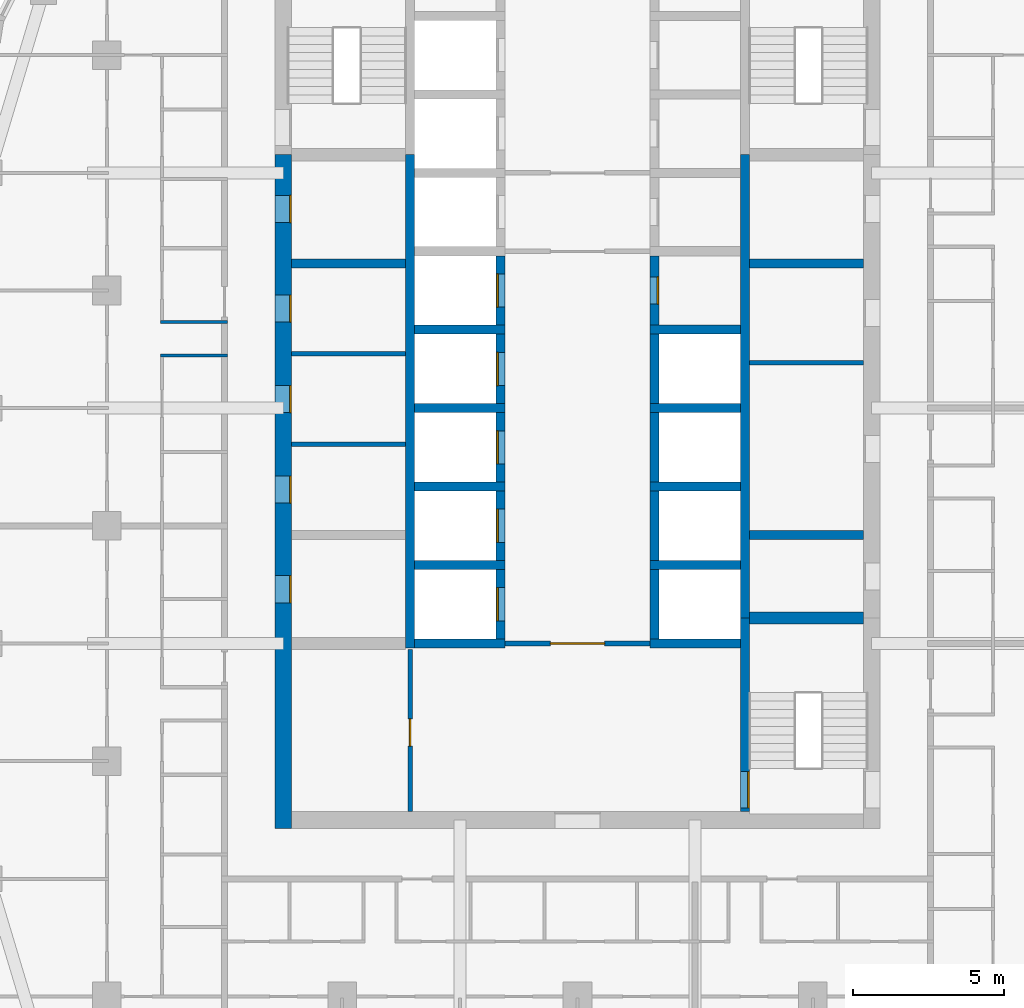
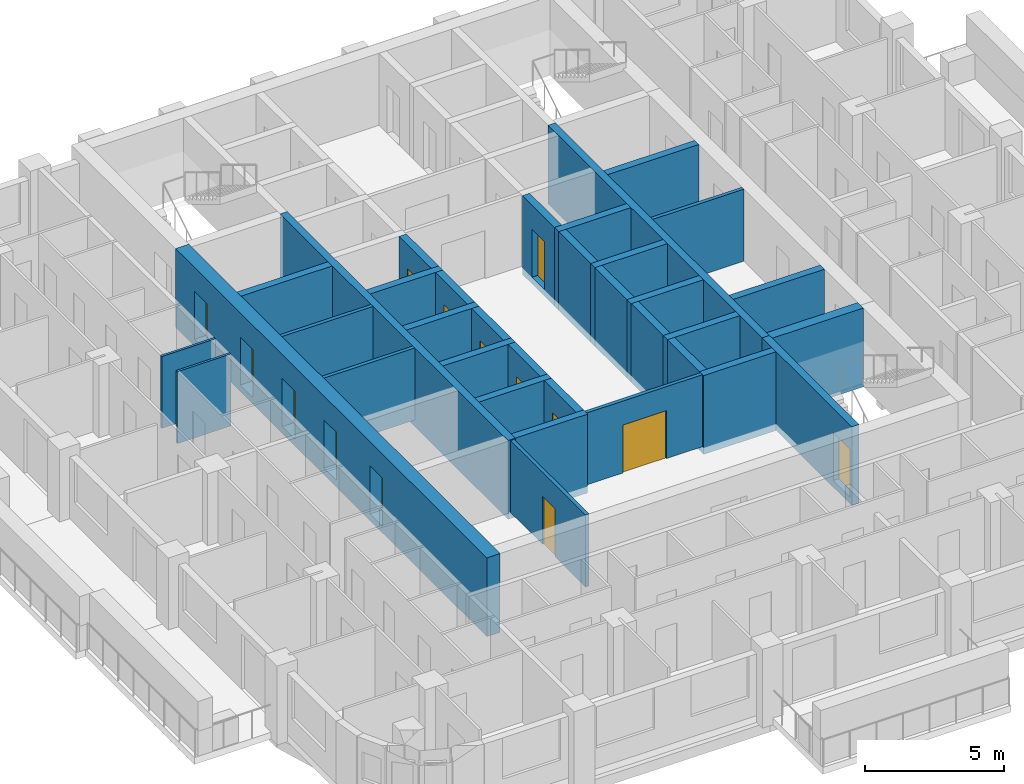
# One storey, part 5 of 14: 35 walls, 14 doors, 14 openings.
"""IFC4 building model written with IfcOpenShell, lengths in metres."""

import ifcopenshell
import ifcopenshell.guid

model = None  # the IFC model being written
_history = None  # IfcOwnerHistory: only IFC2X3 demands one
_inside = {}  # id of a spatial element -> (the spatial element, [elements in it])
_under = {}  # id of a project, library or spatial element -> (it, [spatial elements below it])
_declared = {}  # id of a project -> (the project, [libraries it declares])
_typed = {}  # id of a type object -> (the type object, [elements of that type])
_made_of = {}  # id of a material, layer set ... -> (it, [elements and type objects made of it])


def new_model(schema):
    """Start an empty IFC model of exactly this schema.

    Asked for "IFC4X3", IfcOpenShell would pick the latest addendum, in which some entities
    have other attributes; the version numbers below select the first issue.
    IFC2X3 requires an IfcOwnerHistory on every rooted entity: one is made here for all.
    """
    global model, _history
    if schema == "IFC4X3":
        model = ifcopenshell.file(schema_version=(4, 3, 0, 0))
    else:
        model = ifcopenshell.file(schema=schema)
    _inside.clear()
    _under.clear()
    _declared.clear()
    _typed.clear()
    _made_of.clear()
    _history = None
    if model.schema == "IFC2X3":
        org = make("IfcOrganization", Name="unknown")
        user = make(
            "IfcPersonAndOrganization",
            ThePerson=make("IfcPerson", FamilyName="unknown"),
            TheOrganization=org,
        )
        app = make(
            "IfcApplication",
            ApplicationDeveloper=org,
            Version="unknown",
            ApplicationFullName="unknown",
            ApplicationIdentifier="unknown",
        )
        _history = make(
            "IfcOwnerHistory",
            OwningUser=user,
            OwningApplication=app,
            ChangeAction="ADDED",
            CreationDate=0,
        )
    return model


def make(cls, **values):
    """One entity of the class cls with the attributes given. An attribute that is None is left unset."""
    return model.create_entity(
        cls, **{name: value for name, value in values.items() if value is not None}
    )


def rooted(cls, **values):
    """An entity with a GlobalId (a new one), such as an element, a storey or a relation."""
    return make(cls, GlobalId=ifcopenshell.guid.new(), OwnerHistory=_history, **values)


def si_unit(unit_type, name, prefix=None):
    """IfcSIUnit, for example si_unit("LENGTHUNIT", "METRE", prefix="MILLI")."""
    return make("IfcSIUnit", UnitType=unit_type, Prefix=prefix, Name=name)


def assignment(units):
    """IfcUnitAssignment: the units of a project."""
    return None if units is None else make("IfcUnitAssignment", Units=units)


def point(xyz):
    """IfcCartesianPoint."""
    return None if xyz is None else make("IfcCartesianPoint", Coordinates=xyz)


def direction(xyz):
    """IfcDirection."""
    return None if xyz is None else make("IfcDirection", DirectionRatios=xyz)


def frame(location, z_axis=None, x_axis=None):
    """IfcAxis2Placement3D, a coordinate frame: its origin and axes. An axis left out is left unset."""
    return make(
        "IfcAxis2Placement3D",
        Location=point(location),
        Axis=direction(z_axis),
        RefDirection=direction(x_axis),
    )


def frame_2d(location, x_axis=None):
    """IfcAxis2Placement2D, a coordinate frame in the plane: its origin and x axis."""
    return make(
        "IfcAxis2Placement2D", Location=point(location), RefDirection=direction(x_axis)
    )


def origin():
    """The frame at (0, 0, 0) with its axes left unset."""
    return frame((0.0, 0.0, 0.0))


def place(relative_to, where):
    """IfcLocalPlacement: puts the frame where relative to a parent placement (None: the world)."""
    return make(
        "IfcLocalPlacement", PlacementRelTo=relative_to, RelativePlacement=where
    )


def context(
    kind, dimensions, precision=None, world=None, true_north=None, identifier=None
):
    """IfcGeometricRepresentationContext, for example the 3D "Model" context."""
    return make(
        "IfcGeometricRepresentationContext",
        ContextIdentifier=identifier,
        ContextType=kind,
        CoordinateSpaceDimension=dimensions,
        Precision=precision,
        WorldCoordinateSystem=world,
        TrueNorth=true_north,
    )


def subcontext(parent, identifier, kind, view, scale=None):
    """IfcGeometricRepresentationSubContext, for example "Body" below "Model"."""
    return make(
        "IfcGeometricRepresentationSubContext",
        ContextIdentifier=identifier,
        ContextType=kind,
        ParentContext=parent,
        TargetScale=scale,
        TargetView=view,
    )


def project(units=None, contexts=None):
    """IfcProject with its units and contexts."""
    return rooted(
        "IfcProject",
        Name="project",
        RepresentationContexts=contexts,
        UnitsInContext=assignment(units),
    )


def spatial(cls, under=None, at=None, **own):
    """A site, building, storey or space (cls), placed at a placement, below another one or the project."""
    s = rooted(cls, ObjectPlacement=at, **own)
    if under is not None:
        _under.setdefault(under.id(), (under, []))[1].append(s)
    return s


def profile(cls, at=None, kind="AREA", **sizes):
    """A parametric profile (cls). Its sizes go by their IFC names, for example OverallWidth=200.0."""
    return make(cls, ProfileType=kind, Position=at, **sizes)


def rectangle(**sizes):
    """IfcRectangleProfileDef."""
    return profile("IfcRectangleProfileDef", **sizes)


def extrude(swept, where, along, depth):
    """IfcExtrudedAreaSolid: the profile swept, set in the frame where, extruded along a direction by depth."""
    return make(
        "IfcExtrudedAreaSolid",
        SweptArea=swept,
        Position=where,
        ExtrudedDirection=direction(along),
        Depth=depth,
    )


def shape(context_of_items, identifier, shape_type, items):
    """IfcShapeRepresentation: the items that make up one representation, for example the "Body"."""
    return make(
        "IfcShapeRepresentation",
        ContextOfItems=context_of_items,
        RepresentationIdentifier=identifier,
        RepresentationType=shape_type,
        Items=items,
    )


def material(Name=None, Category=None):
    """IfcMaterial."""
    return make("IfcMaterial", Name=Name, Category=Category)


def layer(
    of_material, thickness, ventilated=None, Name=None, Category=None, Priority=None
):
    """IfcMaterialLayer: one layer of a wall or slab, of a material (None: an air gap)."""
    return make(
        "IfcMaterialLayer",
        Material=of_material,
        LayerThickness=thickness,
        IsVentilated=ventilated,
        Name=Name,
        Category=Category,
        Priority=Priority,
    )


def layer_set(layers, Name=None):
    """IfcMaterialLayerSet."""
    return make("IfcMaterialLayerSet", MaterialLayers=layers, LayerSetName=Name)


def made_of(thing, what):
    """Note that an element or type object is made of a material, layer set ...; save() writes the relation."""
    if what is not None:
        _made_of.setdefault(what.id(), (what, []))[1].append(thing)
    return thing


def type_object(cls, material=None, **own):
    """A type object (cls), such as IfcWallType, which elements share."""
    return made_of(rooted(cls, **own), material)


def element(
    cls,
    number,
    at=None,
    inside=None,
    cuts=None,
    type_object=None,
    material=None,
    context=None,
    identifier="Body",
    shape_type=None,
    held_by="IfcProductDefinitionShape",
    body=None,
    shapes=None,
    **own,
):
    """One element of the class cls, such as IfcWall. Its Tag is "e" and its number.

    at: its placement. inside: the storey or other place that contains it. cuts: it is an
    opening in that element (IfcRelVoidsElement). A single representation is given by context,
    identifier, shape_type and body (its items); several are given by shapes. held_by: the class
    of the entity that holds the representations. save() writes the other relations.
    """
    e = rooted(cls, Tag="e%d" % number, ObjectPlacement=at, **own)
    if body is not None:
        shapes = [shape(context, identifier, shape_type, body)]
    if shapes is not None:
        e.Representation = make(held_by, Representations=shapes)
    if inside is not None:
        _inside.setdefault(inside.id(), (inside, []))[1].append(e)
    if cuts is not None:
        rooted(
            "IfcRelVoidsElement", RelatingBuildingElement=cuts, RelatedOpeningElement=e
        )
    if type_object is not None:
        _typed.setdefault(type_object.id(), (type_object, []))[1].append(e)
    return made_of(e, material)


def fill(opening, filler):
    """IfcRelFillsElement: the door or window that sits in an opening."""
    return rooted(
        "IfcRelFillsElement",
        RelatingOpeningElement=opening,
        RelatedBuildingElement=filler,
    )


def aggregate(whole, parts):
    """IfcRelAggregates: a whole, such as a stair, and the parts it consists of."""
    return rooted("IfcRelAggregates", RelatingObject=whole, RelatedObjects=parts)


def save(model, path):
    """Write the relations noted so far, then the file.

    IfcRelAggregates (storeys below a building ...), IfcRelContainedInSpatialStructure (elements
    in a storey), IfcRelDefinesByType, IfcRelAssociatesMaterial and IfcRelDeclares: one each for
    every whole, place, type object, material and project.
    """
    for whole, parts in _under.values():
        aggregate(whole, parts)
    for where, things in _inside.values():
        rooted(
            "IfcRelContainedInSpatialStructure",
            RelatedElements=things,
            RelatingStructure=where,
        )
    for kind, things in _typed.values():
        rooted("IfcRelDefinesByType", RelatedObjects=things, RelatingType=kind)
    for what, things in _made_of.values():
        rooted("IfcRelAssociatesMaterial", RelatedObjects=things, RelatingMaterial=what)
    for by, libraries in _declared.values():
        rooted("IfcRelDeclares", RelatingContext=by, RelatedDefinitions=libraries)
    model.write(path)


model = new_model("IFC4")

# Units and contexts
model_context = context("Model", 3, precision=1e-05, world=origin(), true_north=direction((0.0, 1.0)))
body_context = subcontext(model_context, "Body", "Model", "MODEL_VIEW")
ifc_project = project(units=[si_unit("LENGTHUNIT", "METRE"), si_unit("AREAUNIT", "SQUARE_METRE"), si_unit("VOLUMEUNIT", "CUBIC_METRE"), si_unit("PLANEANGLEUNIT", "RADIAN"), si_unit("MASSUNIT", "GRAM", prefix="KILO")], contexts=[model_context])

# Site, building, storey
site_placement = place(None, origin())
site = spatial("IfcSite", under=ifc_project, at=site_placement, CompositionType="ELEMENT")
building_placement = place(site_placement, origin())
building = spatial("IfcBuilding", under=site, at=building_placement, Name="Ludao Terraces", CompositionType="ELEMENT")
storey_placement = place(building_placement, frame((0.0, 0.0, 99.89990234375)))
storey = spatial("IfcBuildingStorey", under=building, at=storey_placement, Name="L27", CompositionType="ELEMENT", Elevation=99.89990234375)

# Wall, openings, doors
ifc_material_1 = material(Name="Concrete C60", Category="concrete")
ifc_layer_1 = layer(ifc_material_1, 0.550048828125)
ifc_layer_set_1 = layer_set([ifc_layer_1], Name="Core wall 550 C60")
wall_type_1 = type_object("IfcWallType", Name="Core wall 550 C60", PredefinedType="SOLIDWALL", material=ifc_layer_set_1)
wall_1_placement = place(storey_placement, frame((75.25, 54.97509765625, -0.2998046875), z_axis=(0.0, 0.0, 1.0), x_axis=(0.0, 1.0, 0.0)))
wall_1 = element("IfcWall", 1, at=wall_1_placement, inside=storey, type_object=wall_type_1, Name="Core wall L27 outer-W", PredefinedType="SOLIDWALL", context=body_context, shape_type="SweptSolid", body=[
    extrude(rectangle(XDim=22.324951171875, YDim=0.550048828125, at=frame_2d((11.16259765625, 0.0))), origin(), (0.0, 0.0, 1.0), 3.449951171875),
])
opening_1_placement = place(wall_1_placement, frame((7.47509765625, 0.0, 0.300048828125)))
opening_1 = element("IfcOpeningElement", 2, at=opening_1_placement, cuts=wall_1, Name="Opening R08-046", PredefinedType="OPENING", context=body_context, shape_type="SweptSolid", body=[
    extrude(rectangle(XDim=0.89990234375, YDim=2.10009765625, at=frame_2d((0.449951171875, 1.050048828125))), frame((0.0, 0.28515625, 0.0), z_axis=(0.0, -1.0, 0.0), x_axis=(1.0, 0.0, 0.0)), (0.0, 0.0, 1.0), 0.570068359375),
])
opening_2_placement = place(wall_1_placement, frame((10.77490234375, 0.0, 0.300048828125)))
opening_2 = element("IfcOpeningElement", 3, at=opening_2_placement, cuts=wall_1, Name="Opening R08-053", PredefinedType="OPENING", context=body_context, shape_type="SweptSolid", body=[
    extrude(rectangle(XDim=0.89990234375, YDim=2.10009765625, at=frame_2d((0.449951171875, 1.050048828125))), frame((0.0, 0.28515625, 0.0), z_axis=(0.0, -1.0, 0.0), x_axis=(1.0, 0.0, 0.0)), (0.0, 0.0, 1.0), 0.570068359375),
])
opening_3_placement = place(wall_1_placement, frame((13.77490234375, 0.0, 0.300048828125)))
opening_3 = element("IfcOpeningElement", 4, at=opening_3_placement, cuts=wall_1, Name="Opening R08-062", PredefinedType="OPENING", context=body_context, shape_type="SweptSolid", body=[
    extrude(rectangle(XDim=0.89990234375, YDim=2.10009765625, at=frame_2d((0.449951171875, 1.050048828125))), frame((0.0, 0.28515625, 0.0), z_axis=(0.0, -1.0, 0.0), x_axis=(1.0, 0.0, 0.0)), (0.0, 0.0, 1.0), 0.570068359375),
])
opening_4_placement = place(wall_1_placement, frame((16.77490234375, 0.0, 0.300048828125)))
opening_4 = element("IfcOpeningElement", 5, at=opening_4_placement, cuts=wall_1, Name="Opening R08-068", PredefinedType="OPENING", context=body_context, shape_type="SweptSolid", body=[
    extrude(rectangle(XDim=0.89990234375, YDim=2.10009765625, at=frame_2d((0.449951171875, 1.050048828125))), frame((0.0, 0.28515625, 0.0), z_axis=(0.0, -1.0, 0.0), x_axis=(1.0, 0.0, 0.0)), (0.0, 0.0, 1.0), 0.570068359375),
])
opening_5_placement = place(wall_1_placement, frame((20.074951171875, 0.0, 0.300048828125)))
opening_5 = element("IfcOpeningElement", 6, at=opening_5_placement, cuts=wall_1, Name="Opening R08-080", PredefinedType="OPENING", context=body_context, shape_type="SweptSolid", body=[
    extrude(rectangle(XDim=0.89990234375, YDim=2.10009765625, at=frame_2d((0.449951171875, 1.050048828125))), frame((0.0, 0.28515625, 0.0), z_axis=(0.0, -1.0, 0.0), x_axis=(1.0, 0.0, 0.0)), (0.0, 0.0, 1.0), 0.570068359375),
])
ifc_material_2 = material(Name="Steel Q235", Category="steel")
door_type_1 = type_object("IfcDoorType", Name="INT Riser door 900", OperationType="SINGLE_SWING_LEFT", PredefinedType="DOOR", material=ifc_material_2)
door_1_placement = place(opening_1_placement, origin())
door_1 = element("IfcDoor", 7, at=door_1_placement, inside=storey, type_object=door_type_1, Name="DOOR 046", OperationType="SINGLE_SWING_RIGHT", OverallHeight=2.10009765625, OverallWidth=0.89990234375, PredefinedType="DOOR", context=body_context, shape_type="SweptSolid", body=[
    extrude(rectangle(XDim=0.89990234375, YDim=2.10009765625, at=frame_2d((0.449951171875, 1.050048828125))), frame((0.0, -0.2099609375, 0.0), z_axis=(0.0, -1.0, 0.0), x_axis=(1.0, 0.0, 0.0)), (0.0, 0.0, 1.0), 0.050048828125),
])
fill(opening_1, door_1)
door_2_placement = place(opening_5_placement, origin())
door_2 = element("IfcDoor", 8, at=door_2_placement, inside=storey, type_object=door_type_1, Name="DOOR 080", OperationType="SINGLE_SWING_LEFT", OverallHeight=2.10009765625, OverallWidth=0.89990234375, PredefinedType="DOOR", context=body_context, shape_type="SweptSolid", body=[
    extrude(rectangle(XDim=0.89990234375, YDim=2.10009765625, at=frame_2d((0.449951171875, 1.050048828125))), frame((0.0, -0.2099609375, 0.0), z_axis=(0.0, -1.0, 0.0), x_axis=(1.0, 0.0, 0.0)), (0.0, 0.0, 1.0), 0.050048828125),
])
fill(opening_5, door_2)
ifc_material_3 = material(Name="Timber door leaf", Category="wood")
door_type_2 = type_object("IfcDoorType", Name="INT Room door 900", OperationType="SINGLE_SWING_LEFT", PredefinedType="DOOR", material=ifc_material_3)
door_3_placement = place(opening_2_placement, origin())
door_3 = element("IfcDoor", 9, at=door_3_placement, inside=storey, type_object=door_type_2, Name="DOOR 053", OperationType="SINGLE_SWING_RIGHT", OverallHeight=2.10009765625, OverallWidth=0.89990234375, PredefinedType="DOOR", context=body_context, shape_type="SweptSolid", body=[
    extrude(rectangle(XDim=0.89990234375, YDim=2.10009765625, at=frame_2d((0.449951171875, 1.050048828125))), frame((0.0, -0.2099609375, 0.0), z_axis=(0.0, -1.0, 0.0), x_axis=(1.0, 0.0, 0.0)), (0.0, 0.0, 1.0), 0.050048828125),
])
fill(opening_2, door_3)
door_4_placement = place(opening_3_placement, origin())
door_4 = element("IfcDoor", 10, at=door_4_placement, inside=storey, type_object=door_type_2, Name="DOOR 062", OperationType="SINGLE_SWING_LEFT", OverallHeight=2.10009765625, OverallWidth=0.89990234375, PredefinedType="DOOR", context=body_context, shape_type="SweptSolid", body=[
    extrude(rectangle(XDim=0.89990234375, YDim=2.10009765625, at=frame_2d((0.449951171875, 1.050048828125))), frame((0.0, -0.2099609375, 0.0), z_axis=(0.0, -1.0, 0.0), x_axis=(1.0, 0.0, 0.0)), (0.0, 0.0, 1.0), 0.050048828125),
])
fill(opening_3, door_4)
door_5_placement = place(opening_4_placement, origin())
door_5 = element("IfcDoor", 11, at=door_5_placement, inside=storey, type_object=door_type_2, Name="DOOR 068", OperationType="SINGLE_SWING_LEFT", OverallHeight=2.10009765625, OverallWidth=0.89990234375, PredefinedType="DOOR", context=body_context, shape_type="SweptSolid", body=[
    extrude(rectangle(XDim=0.89990234375, YDim=2.10009765625, at=frame_2d((0.449951171875, 1.050048828125))), frame((0.0, -0.2099609375, 0.0), z_axis=(0.0, -1.0, 0.0), x_axis=(1.0, 0.0, 0.0)), (0.0, 0.0, 1.0), 0.050048828125),
])
fill(opening_4, door_5)

# Wall, opening, door
ifc_material_4 = material(Name="Fire-rated gypsum plasterboard", Category="gypsum")
ifc_layer_2 = layer(ifc_material_4, 0.012451171875, Category="gypsum")
ifc_material_5 = material(Name="Mineral wool")
ifc_layer_3 = layer(ifc_material_5, 0.10009765625, Name="insulation")
ifc_layer_4 = layer(ifc_material_2, 0.02490234375, Name="stud")
ifc_layer_5 = layer(ifc_material_4, 0.012451171875, Category="gypsum")
ifc_layer_set_2 = layer_set([ifc_layer_2, ifc_layer_3, ifc_layer_4, ifc_layer_5], Name="INT Core partition 150")
wall_type_2 = type_object("IfcWallType", Name="INT Core partition 150", PredefinedType="PARTITIONING", material=ifc_layer_set_2)
wall_2_placement = place(storey_placement, frame((82.60009765625, 61.10009765625, 0.0), z_axis=(0.0, 0.0, 1.0), x_axis=(1.0, 0.0, 0.0)))
wall_2 = element("IfcWall", 12, at=wall_2_placement, inside=storey, type_object=wall_type_2, Name="PW-L27-PW019", PredefinedType="PARTITIONING", context=body_context, shape_type="SweptSolid", body=[
    extrude(rectangle(XDim=4.800048828125, YDim=0.14990234375, at=frame_2d((2.39990234375, 0.0))), origin(), (0.0, 0.0, 1.0), 3.150146484375),
])
opening_6_placement = place(wall_2_placement, frame((1.5, 0.0, 0.0)))
opening_6 = element("IfcOpeningElement", 13, at=opening_6_placement, cuts=wall_2, Name="Opening R08-042", PredefinedType="OPENING", context=body_context, shape_type="SweptSolid", body=[
    extrude(rectangle(XDim=1.800048828125, YDim=2.10009765625, at=frame_2d((0.89990234375, 1.050048828125))), frame((0.0, 0.0849609375, 0.0), z_axis=(0.0, -1.0, 0.0), x_axis=(1.0, 0.0, 0.0)), (0.0, 0.0, 1.0), 0.169921875),
])
door_type_3 = type_object("IfcDoorType", Name="INT Fire lobby door 1800", OperationType="DOUBLE_DOOR_SINGLE_SWING", PredefinedType="DOOR", material=ifc_material_2)
door_6_placement = place(opening_6_placement, origin())
door_6 = element("IfcDoor", 14, at=door_6_placement, inside=storey, type_object=door_type_3, Name="DOOR 042", OperationType="DOUBLE_DOOR_SINGLE_SWING", OverallHeight=2.10009765625, OverallWidth=1.800048828125, PredefinedType="DOOR", context=body_context, shape_type="SweptSolid", body=[
    extrude(rectangle(XDim=1.800048828125, YDim=2.10009765625, at=frame_2d((0.89990234375, 1.050048828125))), frame((0.0, 0.02490234375, 0.0), z_axis=(0.0, -1.0, 0.0), x_axis=(1.0, 0.0, 0.0)), (0.0, 0.0, 1.0), 0.050048828125),
])
fill(opening_6, door_6)

# Walls
for number, where, z_axis, x_axis, name in (
    (15, (75.525146484375, 67.699951171875, 0.0), (0.0, 0.0, 1.0), (1.0, 0.0, 0.0), "PW-L27-PW028"),
    (16, (90.7001953125, 70.39990234375, 0.0), (0.0, 0.0, 1.0), (1.0, 0.0, 0.0), "PW-L27-PW031"),
    (17, (75.525146484375, 70.699951171875, 0.0), (0.0, 0.0, 1.0), (1.0, 0.0, 0.0), "PW-L27-PW033"),
):
    element("IfcWall", number, at=place(storey_placement, frame(where, z_axis=z_axis, x_axis=x_axis)), inside=storey, type_object=wall_type_2, Name=name, PredefinedType="PARTITIONING", context=body_context, shape_type="SweptSolid", body=[
        extrude(rectangle(XDim=3.77490234375, YDim=0.14990234375, at=frame_2d((1.887451171875, 0.0))), origin(), (0.0, 0.0, 1.0), 3.150146484375),
    ])

# Wall, opening, door
wall_3_placement = place(storey_placement, frame((79.449951171875, 55.525146484375, 0.0), z_axis=(0.0, 0.0, 1.0), x_axis=(0.0, 1.0, 0.0)))
wall_3 = element("IfcWall", 18, at=wall_3_placement, inside=storey, type_object=wall_type_2, Name="PW-L27-PW060", PredefinedType="PARTITIONING", context=body_context, shape_type="SweptSolid", body=[
    extrude(rectangle(XDim=5.375, YDim=0.14990234375, at=frame_2d((2.6875, 0.0))), origin(), (0.0, 0.0, 1.0), 3.150146484375),
])
opening_7_placement = place(wall_3_placement, frame((2.175048828125, 0.0, 0.0)))
opening_7 = element("IfcOpeningElement", 19, at=opening_7_placement, cuts=wall_3, Name="Opening R08-036", PredefinedType="OPENING", context=body_context, shape_type="SweptSolid", body=[
    extrude(rectangle(XDim=0.89990234375, YDim=2.10009765625, at=frame_2d((0.449951171875, 1.050048828125))), frame((0.0, 0.0849609375, 0.0), z_axis=(0.0, -1.0, 0.0), x_axis=(1.0, 0.0, 0.0)), (0.0, 0.0, 1.0), 0.169921875),
])
door_7_placement = place(opening_7_placement, origin())
door_7 = element("IfcDoor", 20, at=door_7_placement, inside=storey, type_object=door_type_2, Name="DOOR 036", OperationType="SINGLE_SWING_LEFT", OverallHeight=2.10009765625, OverallWidth=0.89990234375, PredefinedType="DOOR", context=body_context, shape_type="SweptSolid", body=[
    extrude(rectangle(XDim=0.89990234375, YDim=2.10009765625, at=frame_2d((0.449951171875, 1.050048828125))), frame((0.0, 0.02490234375, 0.0), z_axis=(0.0, -1.0, 0.0), x_axis=(1.0, 0.0, 0.0)), (0.0, 0.0, 1.0), 0.050048828125),
])
fill(opening_7, door_7)

# Walls
ifc_material_6 = material(Name="Gypsum plasterboard", Category="gypsum")
ifc_layer_6 = layer(ifc_material_6, 0.012451171875, Category="gypsum")
ifc_layer_7 = layer(ifc_material_5, 0.06005859375, Name="insulation")
ifc_layer_8 = layer(ifc_material_2, 0.014892578125, Name="stud")
ifc_layer_9 = layer(ifc_material_6, 0.012451171875, Category="gypsum")
ifc_layer_set_3 = layer_set([ifc_layer_6, ifc_layer_7, ifc_layer_8, ifc_layer_9], Name="INT Partition 100")
wall_type_3 = type_object("IfcWallType", Name="INT Partition 100", PredefinedType="PARTITIONING", material=ifc_layer_set_3)
for number, where, z_axis, x_axis, name in (
    (21, (71.18017578125, 70.64990234375, 0.0), (0.0, 0.0, 1.0), (1.0, 0.0, 0.0), "PW-L27-PW032"),
    (22, (71.18017578125, 71.75, 0.0), (0.0, 0.0, 1.0), (1.0, 0.0, 0.0), "PW-L27-PW034"),
):
    element("IfcWall", number, at=place(storey_placement, frame(where, z_axis=z_axis, x_axis=x_axis)), inside=storey, type_object=wall_type_3, Name=name, PredefinedType="PARTITIONING", context=body_context, shape_type="SweptSolid", body=[
        extrude(rectangle(XDim=2.219970703125, YDim=0.10009765625, at=frame_2d((1.10986328125, 0.0))), origin(), (0.0, 0.0, 1.0), 3.150146484375),
    ])
ifc_material_7 = material(Name="Concrete C55", Category="concrete")
ifc_layer_10 = layer(ifc_material_7, 0.300048828125)
ifc_layer_set_4 = layer_set([ifc_layer_10], Name="Shaft wall 300 C55")
wall_type_4 = type_object("IfcWallType", Name="Shaft wall 300 C55", PredefinedType="SOLIDWALL", material=ifc_layer_set_4)
wall_4_placement = place(storey_placement, frame((79.449951171875, 60.949951171875, -0.2998046875), z_axis=(0.0, 0.0, 1.0), x_axis=(0.0, 1.0, 0.0)))
element("IfcWall", 23, at=wall_4_placement, inside=storey, type_object=wall_type_4, Name="Core wall L27 back-W", PredefinedType="SOLIDWALL", context=body_context, shape_type="SweptSolid", body=[
    extrude(rectangle(XDim=16.35009765625, YDim=0.300048828125, at=frame_2d((8.175048828125, 0.0))), origin(), (0.0, 0.0, 1.0), 3.449951171875),
])

# Wall, opening, door
wall_5_placement = place(storey_placement, frame((90.550048828125, 55.52490234375, -0.2998046875), z_axis=(0.0, 0.0, 1.0), x_axis=(0.0, 1.0, 0.0)))
wall_5 = element("IfcWall", 24, at=wall_5_placement, inside=storey, type_object=wall_type_4, Name="Core wall L27 back-E-S3", PredefinedType="SOLIDWALL", context=body_context, shape_type="SweptSolid", body=[
    extrude(rectangle(XDim=6.425048828125, YDim=0.300048828125, at=frame_2d((3.21240234375, 0.0))), origin(), (0.0, 0.0, 1.0), 3.449951171875),
])
opening_8_placement = place(wall_5_placement, frame((0.125, 0.0, 0.300048828125)))
opening_8 = element("IfcOpeningElement", 25, at=opening_8_placement, cuts=wall_5, Name="Opening R08-033", PredefinedType="OPENING", context=body_context, shape_type="SweptSolid", body=[
    extrude(rectangle(XDim=1.199951171875, YDim=2.10009765625, at=frame_2d((0.60009765625, 1.050048828125))), frame((0.0, 0.16015625, 0.0), z_axis=(0.0, -1.0, 0.0), x_axis=(1.0, 0.0, 0.0)), (0.0, 0.0, 1.0), 0.320068359375),
])
door_type_4 = type_object("IfcDoorType", Name="INT Stair door 1200", OperationType="DOUBLE_DOOR_SINGLE_SWING", PredefinedType="DOOR", material=ifc_material_2)
door_8_placement = place(opening_8_placement, origin())
door_8 = element("IfcDoor", 26, at=door_8_placement, inside=storey, type_object=door_type_4, Name="DOOR 033", OperationType="DOUBLE_DOOR_SINGLE_SWING", OverallHeight=2.10009765625, OverallWidth=1.199951171875, PredefinedType="DOOR", context=body_context, shape_type="SweptSolid", body=[
    extrude(rectangle(XDim=1.199951171875, YDim=2.10009765625, at=frame_2d((0.60009765625, 1.050048828125))), frame((0.0, -0.0849609375, 0.0), z_axis=(0.0, -1.0, 0.0), x_axis=(1.0, 0.0, 0.0)), (0.0, 0.0, 1.0), 0.050048828125),
])
fill(opening_8, door_8)

# Walls
wall_6_placement = place(storey_placement, frame((90.550048828125, 61.949951171875, -0.2998046875), z_axis=(0.0, 0.0, 1.0), x_axis=(0.0, 1.0, 0.0)))
element("IfcWall", 27, at=wall_6_placement, inside=storey, type_object=wall_type_4, Name="Core wall L27 back-E", PredefinedType="SOLIDWALL", context=body_context, shape_type="SweptSolid", body=[
    extrude(rectangle(XDim=15.35009765625, YDim=0.300048828125, at=frame_2d((7.675048828125, 0.0))), origin(), (0.0, 0.0, 1.0), 3.449951171875),
])
wall_7_placement = place(storey_placement, frame((79.60009765625, 61.10009765625, -0.2998046875), z_axis=(0.0, 0.0, 1.0), x_axis=(1.0, 0.0, 0.0)))
element("IfcWall", 28, at=wall_7_placement, inside=storey, type_object=wall_type_4, Name="Core wall L27 div-W1", PredefinedType="SOLIDWALL", context=body_context, shape_type="SweptSolid", body=[
    extrude(rectangle(XDim=3.0, YDim=0.300048828125, at=frame_2d((1.5, 0.0))), origin(), (0.0, 0.0, 1.0), 3.449951171875),
])

# Wall, opening, door
wall_8_placement = place(storey_placement, frame((82.449951171875, 61.25, -0.2998046875), z_axis=(0.0, 0.0, 1.0), x_axis=(0.0, 1.0, 0.0)))
wall_8 = element("IfcWall", 29, at=wall_8_placement, inside=storey, type_object=wall_type_4, Name="Core wall L27 front-W1", PredefinedType="SOLIDWALL", context=body_context, shape_type="SweptSolid", body=[
    extrude(rectangle(XDim=2.300048828125, YDim=0.300048828125, at=frame_2d((1.14990234375, 0.0))), origin(), (0.0, 0.0, 1.0), 3.449951171875),
])
opening_9_placement = place(wall_8_placement, frame((0.60009765625, 0.0, 0.300048828125)))
opening_9 = element("IfcOpeningElement", 30, at=opening_9_placement, cuts=wall_8, Name="Opening LD-LA1", PredefinedType="OPENING", context=body_context, shape_type="SweptSolid", body=[
    extrude(rectangle(XDim=1.10009765625, YDim=2.10009765625, at=frame_2d((0.550048828125, 1.050048828125))), frame((0.0, 0.16015625, 0.0), z_axis=(0.0, -1.0, 0.0), x_axis=(1.0, 0.0, 0.0)), (0.0, 0.0, 1.0), 0.320068359375),
])
ifc_material_8 = material(Name="Stainless steel 304", Category="steel")
door_type_5 = type_object("IfcDoorType", Name="INT Lift landing door 1100", OperationType="SLIDING_TO_LEFT", PredefinedType="DOOR", material=ifc_material_8)
door_9_placement = place(opening_9_placement, origin())
door_9 = element("IfcDoor", 31, at=door_9_placement, inside=storey, type_object=door_type_5, Name="LANDING DOOR LA1 L27", OperationType="SLIDING_TO_RIGHT", OverallHeight=2.10009765625, OverallWidth=1.10009765625, PredefinedType="DOOR", context=body_context, shape_type="SweptSolid", body=[
    extrude(rectangle(XDim=1.10009765625, YDim=2.10009765625, at=frame_2d((0.550048828125, 1.050048828125))), frame((0.0, 0.13525390625, 0.0), z_axis=(0.0, -1.0, 0.0), x_axis=(1.0, 0.0, 0.0)), (0.0, 0.0, 1.0), 0.050048828125),
])
fill(opening_9, door_9)

# Wall
wall_9_placement = place(storey_placement, frame((79.60009765625, 63.699951171875, -0.2998046875), z_axis=(0.0, 0.0, 1.0), x_axis=(1.0, 0.0, 0.0)))
element("IfcWall", 32, at=wall_9_placement, inside=storey, type_object=wall_type_4, Name="Core wall L27 div-W2", PredefinedType="SOLIDWALL", context=body_context, shape_type="SweptSolid", body=[
    extrude(rectangle(XDim=3.0, YDim=0.300048828125, at=frame_2d((1.5, 0.0))), origin(), (0.0, 0.0, 1.0), 3.449951171875),
])

# Wall, opening, door
wall_10_placement = place(storey_placement, frame((82.449951171875, 63.85009765625, -0.2998046875), z_axis=(0.0, 0.0, 1.0), x_axis=(0.0, 1.0, 0.0)))
wall_10 = element("IfcWall", 33, at=wall_10_placement, inside=storey, type_object=wall_type_4, Name="Core wall L27 front-W2", PredefinedType="SOLIDWALL", context=body_context, shape_type="SweptSolid", body=[
    extrude(rectangle(XDim=2.2998046875, YDim=0.300048828125, at=frame_2d((1.14990234375, 0.0))), origin(), (0.0, 0.0, 1.0), 3.449951171875),
])
opening_10_placement = place(wall_10_placement, frame((0.60009765625, 0.0, 0.300048828125)))
opening_10 = element("IfcOpeningElement", 34, at=opening_10_placement, cuts=wall_10, Name="Opening LD-LA2", PredefinedType="OPENING", context=body_context, shape_type="SweptSolid", body=[
    extrude(rectangle(XDim=1.10009765625, YDim=2.10009765625, at=frame_2d((0.550048828125, 1.050048828125))), frame((0.0, 0.16015625, 0.0), z_axis=(0.0, -1.0, 0.0), x_axis=(1.0, 0.0, 0.0)), (0.0, 0.0, 1.0), 0.320068359375),
])
door_10_placement = place(opening_10_placement, origin())
door_10 = element("IfcDoor", 35, at=door_10_placement, inside=storey, type_object=door_type_5, Name="LANDING DOOR LA2 L27", OperationType="SLIDING_TO_RIGHT", OverallHeight=2.10009765625, OverallWidth=1.10009765625, PredefinedType="DOOR", context=body_context, shape_type="SweptSolid", body=[
    extrude(rectangle(XDim=1.10009765625, YDim=2.10009765625, at=frame_2d((0.550048828125, 1.050048828125))), frame((0.0, 0.13525390625, 0.0), z_axis=(0.0, -1.0, 0.0), x_axis=(1.0, 0.0, 0.0)), (0.0, 0.0, 1.0), 0.050048828125),
])
fill(opening_10, door_10)

# Wall
wall_11_placement = place(storey_placement, frame((79.60009765625, 66.300048828125, -0.2998046875), z_axis=(0.0, 0.0, 1.0), x_axis=(1.0, 0.0, 0.0)))
element("IfcWall", 36, at=wall_11_placement, inside=storey, type_object=wall_type_4, Name="Core wall L27 div-W3", PredefinedType="SOLIDWALL", context=body_context, shape_type="SweptSolid", body=[
    extrude(rectangle(XDim=3.0, YDim=0.300048828125, at=frame_2d((1.5, 0.0))), origin(), (0.0, 0.0, 1.0), 3.449951171875),
])

# Wall, opening, door
wall_12_placement = place(storey_placement, frame((82.449951171875, 66.449951171875, -0.2998046875), z_axis=(0.0, 0.0, 1.0), x_axis=(0.0, 1.0, 0.0)))
wall_12 = element("IfcWall", 37, at=wall_12_placement, inside=storey, type_object=wall_type_4, Name="Core wall L27 front-W3", PredefinedType="SOLIDWALL", context=body_context, shape_type="SweptSolid", body=[
    extrude(rectangle(XDim=2.300048828125, YDim=0.300048828125, at=frame_2d((1.14990234375, 0.0))), origin(), (0.0, 0.0, 1.0), 3.449951171875),
])
opening_11_placement = place(wall_12_placement, frame((0.60009765625, 0.0, 0.300048828125)))
opening_11 = element("IfcOpeningElement", 38, at=opening_11_placement, cuts=wall_12, Name="Opening LD-LA3", PredefinedType="OPENING", context=body_context, shape_type="SweptSolid", body=[
    extrude(rectangle(XDim=1.10009765625, YDim=2.10009765625, at=frame_2d((0.550048828125, 1.050048828125))), frame((0.0, 0.16015625, 0.0), z_axis=(0.0, -1.0, 0.0), x_axis=(1.0, 0.0, 0.0)), (0.0, 0.0, 1.0), 0.320068359375),
])
door_11_placement = place(opening_11_placement, origin())
door_11 = element("IfcDoor", 39, at=door_11_placement, inside=storey, type_object=door_type_5, Name="LANDING DOOR LA3 L27", OperationType="SLIDING_TO_RIGHT", OverallHeight=2.10009765625, OverallWidth=1.10009765625, PredefinedType="DOOR", context=body_context, shape_type="SweptSolid", body=[
    extrude(rectangle(XDim=1.10009765625, YDim=2.10009765625, at=frame_2d((0.550048828125, 1.050048828125))), frame((0.0, 0.13525390625, 0.0), z_axis=(0.0, -1.0, 0.0), x_axis=(1.0, 0.0, 0.0)), (0.0, 0.0, 1.0), 0.050048828125),
])
fill(opening_11, door_11)

# Wall
wall_13_placement = place(storey_placement, frame((79.60009765625, 68.89990234375, -0.2998046875), z_axis=(0.0, 0.0, 1.0), x_axis=(1.0, 0.0, 0.0)))
element("IfcWall", 40, at=wall_13_placement, inside=storey, type_object=wall_type_4, Name="Core wall L27 div-W4", PredefinedType="SOLIDWALL", context=body_context, shape_type="SweptSolid", body=[
    extrude(rectangle(XDim=3.0, YDim=0.300048828125, at=frame_2d((1.5, 0.0))), origin(), (0.0, 0.0, 1.0), 3.449951171875),
])

# Wall, opening, door
wall_14_placement = place(storey_placement, frame((82.449951171875, 69.050048828125, -0.2998046875), z_axis=(0.0, 0.0, 1.0), x_axis=(0.0, 1.0, 0.0)))
wall_14 = element("IfcWall", 41, at=wall_14_placement, inside=storey, type_object=wall_type_4, Name="Core wall L27 front-W4", PredefinedType="SOLIDWALL", context=body_context, shape_type="SweptSolid", body=[
    extrude(rectangle(XDim=2.300048828125, YDim=0.300048828125, at=frame_2d((1.14990234375, 0.0))), origin(), (0.0, 0.0, 1.0), 3.449951171875),
])
opening_12_placement = place(wall_14_placement, frame((0.60009765625, 0.0, 0.300048828125)))
opening_12 = element("IfcOpeningElement", 42, at=opening_12_placement, cuts=wall_14, Name="Opening LD-LA4", PredefinedType="OPENING", context=body_context, shape_type="SweptSolid", body=[
    extrude(rectangle(XDim=1.10009765625, YDim=2.10009765625, at=frame_2d((0.550048828125, 1.050048828125))), frame((0.0, 0.16015625, 0.0), z_axis=(0.0, -1.0, 0.0), x_axis=(1.0, 0.0, 0.0)), (0.0, 0.0, 1.0), 0.320068359375),
])
door_12_placement = place(opening_12_placement, origin())
door_12 = element("IfcDoor", 43, at=door_12_placement, inside=storey, type_object=door_type_5, Name="LANDING DOOR LA4 L27", OperationType="SLIDING_TO_LEFT", OverallHeight=2.10009765625, OverallWidth=1.10009765625, PredefinedType="DOOR", context=body_context, shape_type="SweptSolid", body=[
    extrude(rectangle(XDim=1.10009765625, YDim=2.10009765625, at=frame_2d((0.550048828125, 1.050048828125))), frame((0.0, 0.13525390625, 0.0), z_axis=(0.0, -1.0, 0.0), x_axis=(1.0, 0.0, 0.0)), (0.0, 0.0, 1.0), 0.050048828125),
])
fill(opening_12, door_12)

# Wall
wall_15_placement = place(storey_placement, frame((79.60009765625, 71.5, -0.2998046875), z_axis=(0.0, 0.0, 1.0), x_axis=(1.0, 0.0, 0.0)))
element("IfcWall", 44, at=wall_15_placement, inside=storey, type_object=wall_type_4, Name="Core wall L27 div-W5", PredefinedType="SOLIDWALL", context=body_context, shape_type="SweptSolid", body=[
    extrude(rectangle(XDim=3.0, YDim=0.300048828125, at=frame_2d((1.5, 0.0))), origin(), (0.0, 0.0, 1.0), 3.449951171875),
])

# Wall, opening, door
wall_16_placement = place(storey_placement, frame((82.449951171875, 71.64990234375, -0.2998046875), z_axis=(0.0, 0.0, 1.0), x_axis=(0.0, 1.0, 0.0)))
wall_16 = element("IfcWall", 45, at=wall_16_placement, inside=storey, type_object=wall_type_4, Name="Core wall L27 front-W5", PredefinedType="SOLIDWALL", context=body_context, shape_type="SweptSolid", body=[
    extrude(rectangle(XDim=2.300048828125, YDim=0.300048828125, at=frame_2d((1.14990234375, 0.0))), origin(), (0.0, 0.0, 1.0), 3.449951171875),
])
opening_13_placement = place(wall_16_placement, frame((0.60009765625, 0.0, 0.300048828125)))
opening_13 = element("IfcOpeningElement", 46, at=opening_13_placement, cuts=wall_16, Name="Opening LD-LA5", PredefinedType="OPENING", context=body_context, shape_type="SweptSolid", body=[
    extrude(rectangle(XDim=1.10009765625, YDim=2.10009765625, at=frame_2d((0.550048828125, 1.050048828125))), frame((0.0, 0.16015625, 0.0), z_axis=(0.0, -1.0, 0.0), x_axis=(1.0, 0.0, 0.0)), (0.0, 0.0, 1.0), 0.320068359375),
])
door_13_placement = place(opening_13_placement, origin())
door_13 = element("IfcDoor", 47, at=door_13_placement, inside=storey, type_object=door_type_5, Name="LANDING DOOR LA5 L27", OperationType="SLIDING_TO_LEFT", OverallHeight=2.10009765625, OverallWidth=1.10009765625, PredefinedType="DOOR", context=body_context, shape_type="SweptSolid", body=[
    extrude(rectangle(XDim=1.10009765625, YDim=2.10009765625, at=frame_2d((0.550048828125, 1.050048828125))), frame((0.0, 0.13525390625, 0.0), z_axis=(0.0, -1.0, 0.0), x_axis=(1.0, 0.0, 0.0)), (0.0, 0.0, 1.0), 0.050048828125),
])
fill(opening_13, door_13)

# Walls
wall_17_placement = place(storey_placement, frame((87.39990234375, 61.10009765625, -0.2998046875), z_axis=(0.0, 0.0, 1.0), x_axis=(1.0, 0.0, 0.0)))
element("IfcWall", 48, at=wall_17_placement, inside=storey, type_object=wall_type_4, Name="Core wall L27 div-E1", PredefinedType="SOLIDWALL", context=body_context, shape_type="SweptSolid", body=[
    extrude(rectangle(XDim=3.0, YDim=0.300048828125, at=frame_2d((1.5, 0.0))), origin(), (0.0, 0.0, 1.0), 3.449951171875),
])
wall_18_placement = place(storey_placement, frame((87.550048828125, 61.25, -0.2998046875), z_axis=(0.0, 0.0, 1.0), x_axis=(0.0, 1.0, 0.0)))
element("IfcWall", 49, at=wall_18_placement, inside=storey, type_object=wall_type_4, Name="Core wall L27 front-E1", PredefinedType="SOLIDWALL", context=body_context, shape_type="SweptSolid", body=[
    extrude(rectangle(XDim=2.300048828125, YDim=0.300048828125, at=frame_2d((1.14990234375, 0.0))), origin(), (0.0, 0.0, 1.0), 3.449951171875),
])
wall_19_placement = place(storey_placement, frame((87.39990234375, 63.699951171875, -0.2998046875), z_axis=(0.0, 0.0, 1.0), x_axis=(1.0, 0.0, 0.0)))
element("IfcWall", 50, at=wall_19_placement, inside=storey, type_object=wall_type_4, Name="Core wall L27 div-E2", PredefinedType="SOLIDWALL", context=body_context, shape_type="SweptSolid", body=[
    extrude(rectangle(XDim=3.0, YDim=0.300048828125, at=frame_2d((1.5, 0.0))), origin(), (0.0, 0.0, 1.0), 3.449951171875),
])
wall_20_placement = place(storey_placement, frame((87.550048828125, 63.85009765625, -0.2998046875), z_axis=(0.0, 0.0, 1.0), x_axis=(0.0, 1.0, 0.0)))
element("IfcWall", 51, at=wall_20_placement, inside=storey, type_object=wall_type_4, Name="Core wall L27 front-E2", PredefinedType="SOLIDWALL", context=body_context, shape_type="SweptSolid", body=[
    extrude(rectangle(XDim=2.2998046875, YDim=0.300048828125, at=frame_2d((1.14990234375, 0.0))), origin(), (0.0, 0.0, 1.0), 3.449951171875),
])
wall_21_placement = place(storey_placement, frame((87.39990234375, 66.300048828125, -0.2998046875), z_axis=(0.0, 0.0, 1.0), x_axis=(1.0, 0.0, 0.0)))
element("IfcWall", 52, at=wall_21_placement, inside=storey, type_object=wall_type_4, Name="Core wall L27 div-E3", PredefinedType="SOLIDWALL", context=body_context, shape_type="SweptSolid", body=[
    extrude(rectangle(XDim=3.0, YDim=0.300048828125, at=frame_2d((1.5, 0.0))), origin(), (0.0, 0.0, 1.0), 3.449951171875),
])
wall_22_placement = place(storey_placement, frame((87.550048828125, 66.449951171875, -0.2998046875), z_axis=(0.0, 0.0, 1.0), x_axis=(0.0, 1.0, 0.0)))
element("IfcWall", 53, at=wall_22_placement, inside=storey, type_object=wall_type_4, Name="Core wall L27 front-E3", PredefinedType="SOLIDWALL", context=body_context, shape_type="SweptSolid", body=[
    extrude(rectangle(XDim=2.300048828125, YDim=0.300048828125, at=frame_2d((1.14990234375, 0.0))), origin(), (0.0, 0.0, 1.0), 3.449951171875),
])
wall_23_placement = place(storey_placement, frame((87.39990234375, 68.89990234375, -0.2998046875), z_axis=(0.0, 0.0, 1.0), x_axis=(1.0, 0.0, 0.0)))
element("IfcWall", 54, at=wall_23_placement, inside=storey, type_object=wall_type_4, Name="Core wall L27 div-E4", PredefinedType="SOLIDWALL", context=body_context, shape_type="SweptSolid", body=[
    extrude(rectangle(XDim=3.0, YDim=0.300048828125, at=frame_2d((1.5, 0.0))), origin(), (0.0, 0.0, 1.0), 3.449951171875),
])
wall_24_placement = place(storey_placement, frame((87.550048828125, 69.050048828125, -0.2998046875), z_axis=(0.0, 0.0, 1.0), x_axis=(0.0, 1.0, 0.0)))
element("IfcWall", 55, at=wall_24_placement, inside=storey, type_object=wall_type_4, Name="Core wall L27 front-E4", PredefinedType="SOLIDWALL", context=body_context, shape_type="SweptSolid", body=[
    extrude(rectangle(XDim=2.300048828125, YDim=0.300048828125, at=frame_2d((1.14990234375, 0.0))), origin(), (0.0, 0.0, 1.0), 3.449951171875),
])
wall_25_placement = place(storey_placement, frame((87.39990234375, 71.5, -0.2998046875), z_axis=(0.0, 0.0, 1.0), x_axis=(1.0, 0.0, 0.0)))
element("IfcWall", 56, at=wall_25_placement, inside=storey, type_object=wall_type_4, Name="Core wall L27 div-E5", PredefinedType="SOLIDWALL", context=body_context, shape_type="SweptSolid", body=[
    extrude(rectangle(XDim=3.0, YDim=0.300048828125, at=frame_2d((1.5, 0.0))), origin(), (0.0, 0.0, 1.0), 3.449951171875),
])

# Wall, opening, door
wall_26_placement = place(storey_placement, frame((87.550048828125, 71.64990234375, -0.2998046875), z_axis=(0.0, 0.0, 1.0), x_axis=(0.0, 1.0, 0.0)))
wall_26 = element("IfcWall", 57, at=wall_26_placement, inside=storey, type_object=wall_type_4, Name="Core wall L27 front-E5", PredefinedType="SOLIDWALL", context=body_context, shape_type="SweptSolid", body=[
    extrude(rectangle(XDim=2.300048828125, YDim=0.300048828125, at=frame_2d((1.14990234375, 0.0))), origin(), (0.0, 0.0, 1.0), 3.449951171875),
])
opening_14_placement = place(wall_26_placement, frame((0.699951171875, 0.0, 0.300048828125)))
opening_14 = element("IfcOpeningElement", 58, at=opening_14_placement, cuts=wall_26, Name="Opening R08-071", PredefinedType="OPENING", context=body_context, shape_type="SweptSolid", body=[
    extrude(rectangle(XDim=0.89990234375, YDim=2.10009765625, at=frame_2d((0.449951171875, 1.050048828125))), frame((0.0, 0.16015625, 0.0), z_axis=(0.0, -1.0, 0.0), x_axis=(1.0, 0.0, 0.0)), (0.0, 0.0, 1.0), 0.320068359375),
])
door_14_placement = place(opening_14_placement, origin())
door_14 = element("IfcDoor", 59, at=door_14_placement, inside=storey, type_object=door_type_2, Name="DOOR 071", OperationType="SINGLE_SWING_RIGHT", OverallHeight=2.10009765625, OverallWidth=0.89990234375, PredefinedType="DOOR", context=body_context, shape_type="SweptSolid", body=[
    extrude(rectangle(XDim=0.89990234375, YDim=2.10009765625, at=frame_2d((0.449951171875, 1.050048828125))), frame((0.0, -0.0849609375, 0.0), z_axis=(0.0, -1.0, 0.0), x_axis=(1.0, 0.0, 0.0)), (0.0, 0.0, 1.0), 0.050048828125),
])
fill(opening_14, door_14)

# Walls
for number, where, z_axis, x_axis, name in (
    (60, (75.52490234375, 73.699951171875, -0.2998046875), (0.0, 0.0, 1.0), (1.0, 0.0, 0.0), "Core wall L27 riser-b-W"),
    (61, (90.699951171875, 64.699951171875, -0.2998046875), (0.0, 0.0, 1.0), (1.0, 0.0, 0.0), "Core wall L27 riser-a-E"),
    (62, (90.699951171875, 73.699951171875, -0.2998046875), (0.0, 0.0, 1.0), (1.0, 0.0, 0.0), "Core wall L27 riser-b-E"),
):
    element("IfcWall", number, at=place(storey_placement, frame(where, z_axis=z_axis, x_axis=x_axis)), inside=storey, type_object=wall_type_4, Name=name, PredefinedType="SOLIDWALL", context=body_context, shape_type="SweptSolid", body=[
        extrude(rectangle(XDim=3.775146484375, YDim=0.300048828125, at=frame_2d((1.8876953125, 0.0))), origin(), (0.0, 0.0, 1.0), 3.449951171875),
    ])
ifc_layer_11 = layer(ifc_material_7, 0.39990234375)
ifc_layer_set_5 = layer_set([ifc_layer_11], Name="Shaft wall 400 C55")
wall_type_5 = type_object("IfcWallType", Name="Shaft wall 400 C55", PredefinedType="SOLIDWALL", material=ifc_layer_set_5)
wall_27_placement = place(storey_placement, frame((90.699951171875, 61.949951171875, -0.2998046875), z_axis=(0.0, 0.0, 1.0), x_axis=(1.0, 0.0, 0.0)))
element("IfcWall", 63, at=wall_27_placement, inside=storey, type_object=wall_type_5, Name="Core wall L27 hall-E", PredefinedType="SOLIDWALL", context=body_context, shape_type="SweptSolid", body=[
    extrude(rectangle(XDim=3.775146484375, YDim=0.39990234375, at=frame_2d((1.8876953125, 0.0))), origin(), (0.0, 0.0, 1.0), 3.449951171875),
])

save(model, "model.ifc")
